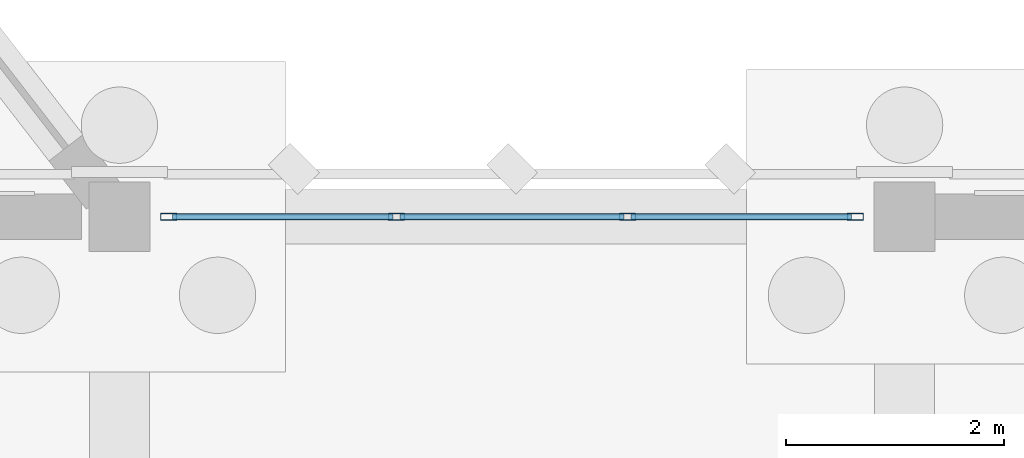
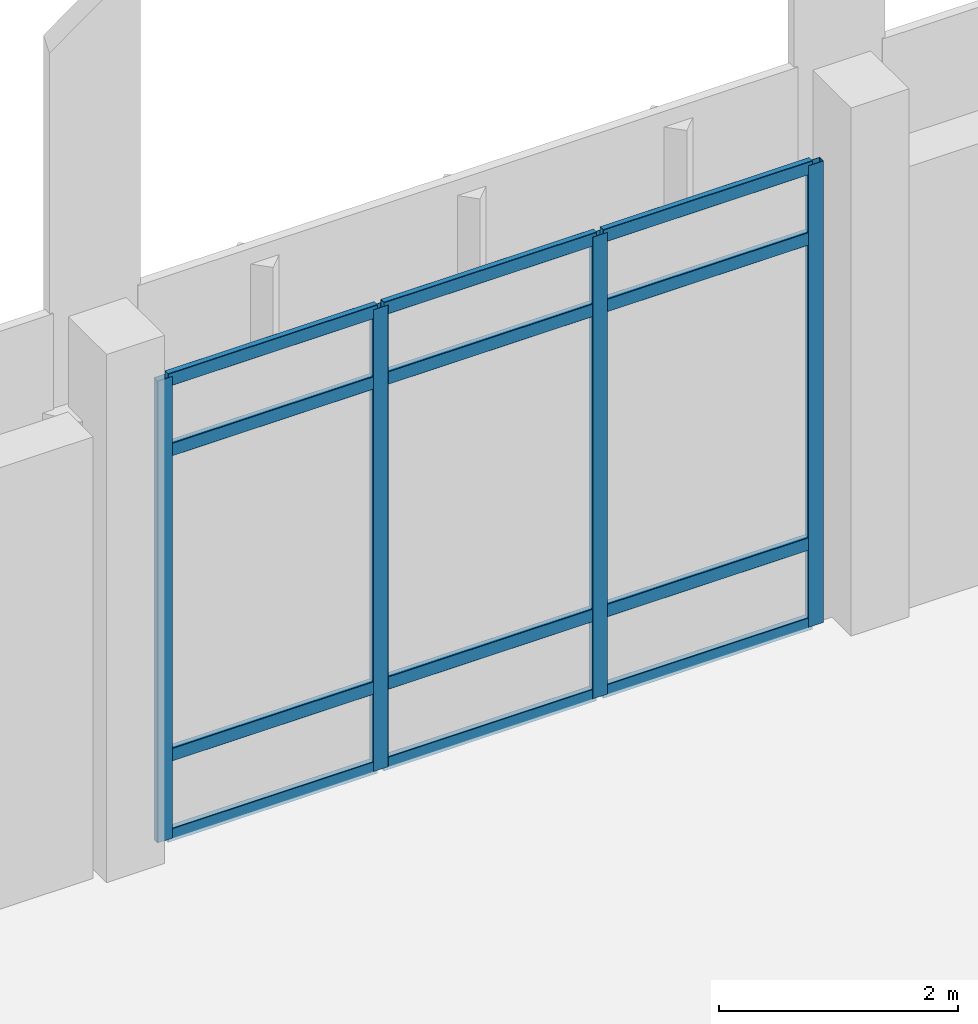
# One storey, part 70 of 109: 16 members, 1 element without a shape of its own.
"""IFC4 building model written with IfcOpenShell, lengths in metres."""

from ifc_helpers import new_model, si_unit, direction, frame, origin, origin_2d, place, context, subcontext, project, spatial, hollow_rectangle, extrude, material, material_profile, profile_set, type_object, element, aggregate, save


model = new_model("IFC4")

# Units and contexts
model_context = context("Model", 3, precision=1e-05, world=origin(), true_north=direction((0.0, 1.0)))
body_context = subcontext(model_context, "Body", "Model", "MODEL_VIEW")
ifc_project = project(units=[si_unit("LENGTHUNIT", "METRE"), si_unit("AREAUNIT", "SQUARE_METRE"), si_unit("VOLUMEUNIT", "CUBIC_METRE"), si_unit("PLANEANGLEUNIT", "RADIAN"), si_unit("MASSUNIT", "GRAM", prefix="KILO")], contexts=[model_context])

# Site, building, storey
site_placement = place(None, origin())
site = spatial("IfcSite", under=ifc_project, at=site_placement, CompositionType="ELEMENT")
building_placement = place(site_placement, origin())
building = spatial("IfcBuilding", under=site, at=building_placement, Name="Lusvemor Sports Hall", CompositionType="ELEMENT")
storey_placement = place(building_placement, origin())
storey = spatial("IfcBuildingStorey", under=building, at=storey_placement, Name="L00", CompositionType="ELEMENT", Elevation=0.0)

# Curtain wall, members
ifc_material_1 = material(Name="Thermally broken bronze-anodized aluminium", Category="aluminium")
curtain_wall_type = type_object("IfcCurtainWallType", Name="CW_WING_B", PredefinedType="NOTDEFINED", material=ifc_material_1)
curtain_wall_placement = place(storey_placement, origin())
curtain_wall = element("IfcCurtainWall", 1, at=curtain_wall_placement, inside=storey, type_object=curtain_wall_type, Name="Curtain Wall CW-L00-N-1-15", PredefinedType="NOTDEFINED")
ifc_material_2 = material(Name="Thermally broken bronze-anodized aluminium", Category="aluminium")
ifc_material_profile_1 = material_profile(ifc_material_2, hollow_rectangle(XDim=0.06494140625, YDim=0.14990234375, WallThickness=0.00390625, InnerFilletRadius=0.00390625, OuterFilletRadius=0.008056640625, at=origin_2d()), Name="CWMUL150x65x4")
ifc_profile_set_1 = profile_set([ifc_material_profile_1], Name="Thermally broken bronze-anodized aluminium")
member_type_1 = type_object("IfcMemberType", Name="CW_MUL_B", PredefinedType="MULLION", material=ifc_profile_set_1)
member_1_placement = place(storey_placement, frame((140.8525390625, 115.199951171875, 0.0), z_axis=(0.0, 0.0, 1.0), x_axis=(0.0, 1.0, 0.0)))
member_1 = element("IfcMember", 2, at=member_1_placement, type_object=member_type_1, Name="CW02 mullion 1", PredefinedType="MULLION", context=body_context, shape_type="SweptSolid", body=[
    extrude(hollow_rectangle(XDim=0.06494140625, YDim=0.14990234375, WallThickness=0.00390625, InnerFilletRadius=0.00390625, OuterFilletRadius=0.008056640625, at=origin_2d()), origin(), (0.0, 0.0, 1.0), 4.719970703125),
])
member_2_placement = place(storey_placement, frame((142.93994140625, 115.199951171875, 0.0), z_axis=(0.0, 0.0, 1.0), x_axis=(0.0, 1.0, 0.0)))
member_2 = element("IfcMember", 3, at=member_2_placement, type_object=member_type_1, Name="CW02 mullion 2", PredefinedType="MULLION", context=body_context, shape_type="SweptSolid", body=[
    extrude(hollow_rectangle(XDim=0.06494140625, YDim=0.14990234375, WallThickness=0.00390625, InnerFilletRadius=0.00390625, OuterFilletRadius=0.008056640625, at=origin_2d()), origin(), (0.0, 0.0, 1.0), 4.719970703125),
])
member_3_placement = place(storey_placement, frame((145.06005859375, 115.199951171875, 0.0), z_axis=(0.0, 0.0, 1.0), x_axis=(0.0, 1.0, 0.0)))
member_3 = element("IfcMember", 4, at=member_3_placement, type_object=member_type_1, Name="CW02 mullion 3", PredefinedType="MULLION", context=body_context, shape_type="SweptSolid", body=[
    extrude(hollow_rectangle(XDim=0.06494140625, YDim=0.14990234375, WallThickness=0.00390625, InnerFilletRadius=0.00390625, OuterFilletRadius=0.008056640625, at=origin_2d()), origin(), (0.0, 0.0, 1.0), 4.719970703125),
])
member_4_placement = place(storey_placement, frame((147.1474609375, 115.199951171875, 0.0), z_axis=(0.0, 0.0, 1.0), x_axis=(0.0, 1.0, 0.0)))
member_4 = element("IfcMember", 5, at=member_4_placement, type_object=member_type_1, Name="CW02 mullion 4", PredefinedType="MULLION", context=body_context, shape_type="SweptSolid", body=[
    extrude(hollow_rectangle(XDim=0.06494140625, YDim=0.14990234375, WallThickness=0.00390625, InnerFilletRadius=0.00390625, OuterFilletRadius=0.008056640625, at=origin_2d()), origin(), (0.0, 0.0, 1.0), 4.719970703125),
])
ifc_material_3 = material(Name="Thermally broken bronze-anodized aluminium", Category="aluminium")
ifc_material_profile_2 = material_profile(ifc_material_3, hollow_rectangle(XDim=0.06005859375, YDim=0.135009765625, WallThickness=0.00390625, InnerFilletRadius=0.00390625, OuterFilletRadius=0.008056640625, at=origin_2d()), Name="CWTRN135x60x4")
ifc_profile_set_2 = profile_set([ifc_material_profile_2], Name="Thermally broken bronze-anodized aluminium")
member_type_2 = type_object("IfcMemberType", Name="CW_TRN_B", PredefinedType="USERDEFINED", material=ifc_profile_set_2)
member_5_placement = place(storey_placement, frame((140.885009765625, 115.199951171875, 0.030029296875), z_axis=(1.0, 0.0, 0.0), x_axis=(0.0, 1.0, 0.0)))
member_5 = element("IfcMember", 6, at=member_5_placement, type_object=member_type_2, Name="CW02 transom 1.1", ObjectType="TRANSOM", PredefinedType="USERDEFINED", context=body_context, shape_type="SweptSolid", body=[
    extrude(hollow_rectangle(XDim=0.06005859375, YDim=0.135009765625, WallThickness=0.00390625, InnerFilletRadius=0.00390625, OuterFilletRadius=0.008056640625, at=origin_2d()), origin(), (0.0, 0.0, 1.0), 2.0224609375),
])
member_6_placement = place(storey_placement, frame((140.885009765625, 115.199951171875, 0.85009765625), z_axis=(1.0, 0.0, 0.0), x_axis=(0.0, 1.0, 0.0)))
member_6 = element("IfcMember", 7, at=member_6_placement, type_object=member_type_2, Name="CW02 transom 1.2", ObjectType="TRANSOM", PredefinedType="USERDEFINED", context=body_context, shape_type="SweptSolid", body=[
    extrude(hollow_rectangle(XDim=0.06005859375, YDim=0.135009765625, WallThickness=0.00390625, InnerFilletRadius=0.00390625, OuterFilletRadius=0.008056640625, at=origin_2d()), origin(), (0.0, 0.0, 1.0), 2.0224609375),
])
member_7_placement = place(storey_placement, frame((140.885009765625, 115.199951171875, 3.969970703125), z_axis=(1.0, 0.0, 0.0), x_axis=(0.0, 1.0, 0.0)))
member_7 = element("IfcMember", 8, at=member_7_placement, type_object=member_type_2, Name="CW02 transom 1.3", ObjectType="TRANSOM", PredefinedType="USERDEFINED", context=body_context, shape_type="SweptSolid", body=[
    extrude(hollow_rectangle(XDim=0.06005859375, YDim=0.135009765625, WallThickness=0.00390625, InnerFilletRadius=0.00390625, OuterFilletRadius=0.008056640625, at=origin_2d()), origin(), (0.0, 0.0, 1.0), 2.0224609375),
])
member_8_placement = place(storey_placement, frame((140.885009765625, 115.199951171875, 4.68994140625), z_axis=(1.0, 0.0, 0.0), x_axis=(0.0, 1.0, 0.0)))
member_8 = element("IfcMember", 9, at=member_8_placement, type_object=member_type_2, Name="CW02 transom 1.4", ObjectType="TRANSOM", PredefinedType="USERDEFINED", context=body_context, shape_type="SweptSolid", body=[
    extrude(hollow_rectangle(XDim=0.06005859375, YDim=0.135009765625, WallThickness=0.00390625, InnerFilletRadius=0.00390625, OuterFilletRadius=0.008056640625, at=origin_2d()), origin(), (0.0, 0.0, 1.0), 2.0224609375),
])
member_9_placement = place(storey_placement, frame((142.972412109375, 115.199951171875, 0.030029296875), z_axis=(1.0, 0.0, 0.0), x_axis=(0.0, 1.0, 0.0)))
member_9 = element("IfcMember", 10, at=member_9_placement, type_object=member_type_2, Name="CW02 transom 2.1", ObjectType="TRANSOM", PredefinedType="USERDEFINED", context=body_context, shape_type="SweptSolid", body=[
    extrude(hollow_rectangle(XDim=0.06005859375, YDim=0.135009765625, WallThickness=0.00390625, InnerFilletRadius=0.00390625, OuterFilletRadius=0.008056640625, at=origin_2d()), origin(), (0.0, 0.0, 1.0), 2.05517578125),
])
member_10_placement = place(storey_placement, frame((142.972412109375, 115.199951171875, 0.85009765625), z_axis=(1.0, 0.0, 0.0), x_axis=(0.0, 1.0, 0.0)))
member_10 = element("IfcMember", 11, at=member_10_placement, type_object=member_type_2, Name="CW02 transom 2.2", ObjectType="TRANSOM", PredefinedType="USERDEFINED", context=body_context, shape_type="SweptSolid", body=[
    extrude(hollow_rectangle(XDim=0.06005859375, YDim=0.135009765625, WallThickness=0.00390625, InnerFilletRadius=0.00390625, OuterFilletRadius=0.008056640625, at=origin_2d()), origin(), (0.0, 0.0, 1.0), 2.05517578125),
])
member_11_placement = place(storey_placement, frame((142.972412109375, 115.199951171875, 3.969970703125), z_axis=(1.0, 0.0, 0.0), x_axis=(0.0, 1.0, 0.0)))
member_11 = element("IfcMember", 12, at=member_11_placement, type_object=member_type_2, Name="CW02 transom 2.3", ObjectType="TRANSOM", PredefinedType="USERDEFINED", context=body_context, shape_type="SweptSolid", body=[
    extrude(hollow_rectangle(XDim=0.06005859375, YDim=0.135009765625, WallThickness=0.00390625, InnerFilletRadius=0.00390625, OuterFilletRadius=0.008056640625, at=origin_2d()), origin(), (0.0, 0.0, 1.0), 2.05517578125),
])
member_12_placement = place(storey_placement, frame((142.972412109375, 115.199951171875, 4.68994140625), z_axis=(1.0, 0.0, 0.0), x_axis=(0.0, 1.0, 0.0)))
member_12 = element("IfcMember", 13, at=member_12_placement, type_object=member_type_2, Name="CW02 transom 2.4", ObjectType="TRANSOM", PredefinedType="USERDEFINED", context=body_context, shape_type="SweptSolid", body=[
    extrude(hollow_rectangle(XDim=0.06005859375, YDim=0.135009765625, WallThickness=0.00390625, InnerFilletRadius=0.00390625, OuterFilletRadius=0.008056640625, at=origin_2d()), origin(), (0.0, 0.0, 1.0), 2.05517578125),
])
member_13_placement = place(storey_placement, frame((145.092529296875, 115.199951171875, 0.030029296875), z_axis=(1.0, 0.0, 0.0), x_axis=(0.0, 1.0, 0.0)))
member_13 = element("IfcMember", 14, at=member_13_placement, type_object=member_type_2, Name="CW02 transom 3.1", ObjectType="TRANSOM", PredefinedType="USERDEFINED", context=body_context, shape_type="SweptSolid", body=[
    extrude(hollow_rectangle(XDim=0.06005859375, YDim=0.135009765625, WallThickness=0.00390625, InnerFilletRadius=0.00390625, OuterFilletRadius=0.008056640625, at=origin_2d()), origin(), (0.0, 0.0, 1.0), 2.0224609375),
])
member_14_placement = place(storey_placement, frame((145.092529296875, 115.199951171875, 0.85009765625), z_axis=(1.0, 0.0, 0.0), x_axis=(0.0, 1.0, 0.0)))
member_14 = element("IfcMember", 15, at=member_14_placement, type_object=member_type_2, Name="CW02 transom 3.2", ObjectType="TRANSOM", PredefinedType="USERDEFINED", context=body_context, shape_type="SweptSolid", body=[
    extrude(hollow_rectangle(XDim=0.06005859375, YDim=0.135009765625, WallThickness=0.00390625, InnerFilletRadius=0.00390625, OuterFilletRadius=0.008056640625, at=origin_2d()), origin(), (0.0, 0.0, 1.0), 2.0224609375),
])
member_15_placement = place(storey_placement, frame((145.092529296875, 115.199951171875, 3.969970703125), z_axis=(1.0, 0.0, 0.0), x_axis=(0.0, 1.0, 0.0)))
member_15 = element("IfcMember", 16, at=member_15_placement, type_object=member_type_2, Name="CW02 transom 3.3", ObjectType="TRANSOM", PredefinedType="USERDEFINED", context=body_context, shape_type="SweptSolid", body=[
    extrude(hollow_rectangle(XDim=0.06005859375, YDim=0.135009765625, WallThickness=0.00390625, InnerFilletRadius=0.00390625, OuterFilletRadius=0.008056640625, at=origin_2d()), origin(), (0.0, 0.0, 1.0), 2.0224609375),
])
member_16_placement = place(storey_placement, frame((145.092529296875, 115.199951171875, 4.68994140625), z_axis=(1.0, 0.0, 0.0), x_axis=(0.0, 1.0, 0.0)))
member_16 = element("IfcMember", 17, at=member_16_placement, type_object=member_type_2, Name="CW02 transom 3.4", ObjectType="TRANSOM", PredefinedType="USERDEFINED", context=body_context, shape_type="SweptSolid", body=[
    extrude(hollow_rectangle(XDim=0.06005859375, YDim=0.135009765625, WallThickness=0.00390625, InnerFilletRadius=0.00390625, OuterFilletRadius=0.008056640625, at=origin_2d()), origin(), (0.0, 0.0, 1.0), 2.0224609375),
])
aggregate(curtain_wall, [member_1, member_2, member_3, member_4, member_5, member_6, member_7, member_8, member_9, member_10, member_11, member_12, member_13, member_14, member_15, member_16])

save(model, "model.ifc")
